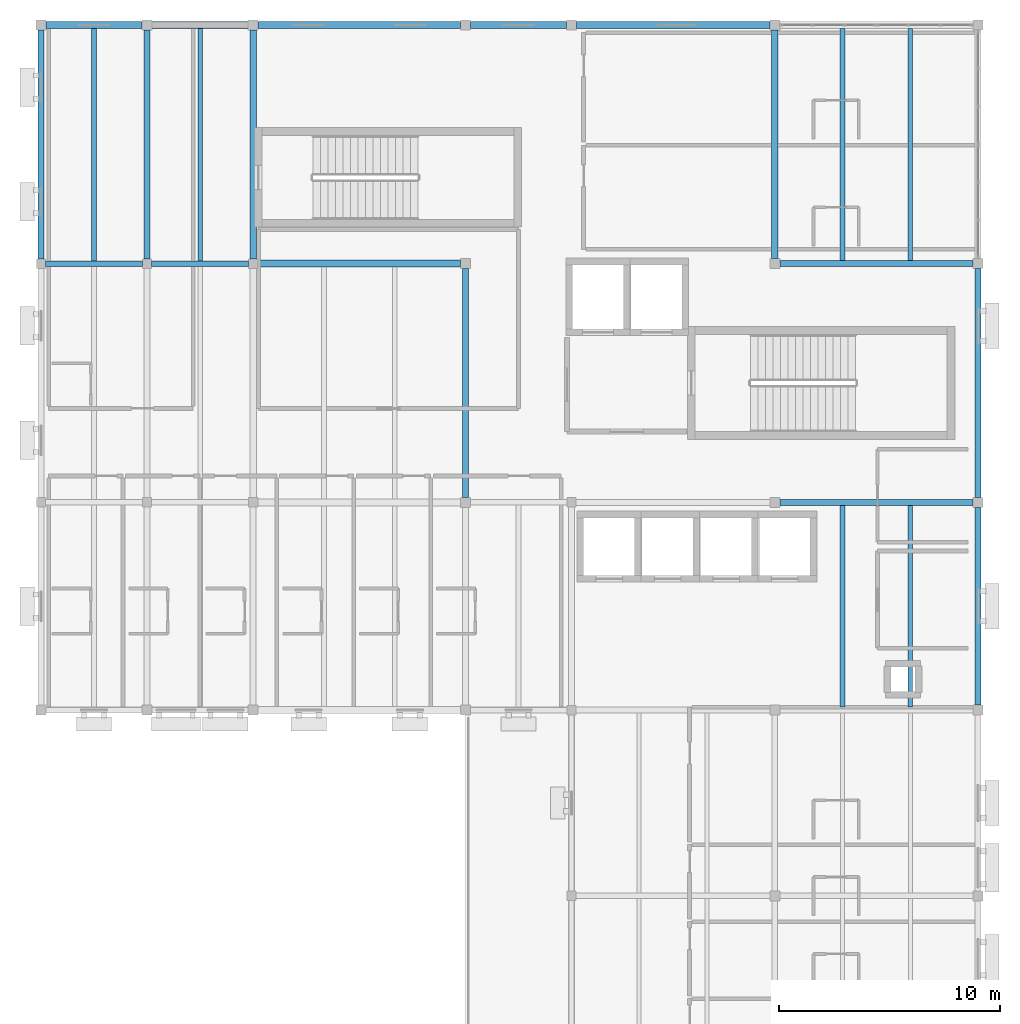
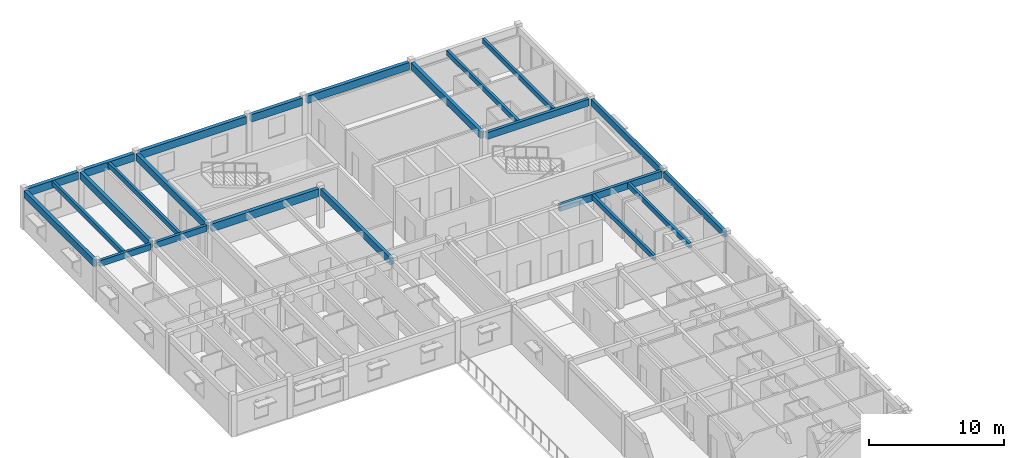
# One storey, part 2 of 18: 23 beams.
"""IFC4 building model written with IfcOpenShell, lengths in metres."""

from ifc_helpers import new_model, si_unit, direction, frame, origin, origin_2d, place, context, subcontext, project, spatial, rectangle, extrude, material, material_profile, profile_set, type_object, element, save


model = new_model("IFC4")

# Units and contexts
model_context = context("Model", 3, precision=1e-05, world=origin(), true_north=direction((0.0, 1.0)))
body_context = subcontext(model_context, "Body", "Model", "MODEL_VIEW")
ifc_project = project(units=[si_unit("LENGTHUNIT", "METRE"), si_unit("AREAUNIT", "SQUARE_METRE"), si_unit("VOLUMEUNIT", "CUBIC_METRE"), si_unit("PLANEANGLEUNIT", "RADIAN"), si_unit("MASSUNIT", "GRAM", prefix="KILO")], contexts=[model_context])

# Site, building, storey
site_placement = place(None, origin())
site = spatial("IfcSite", under=ifc_project, at=site_placement, CompositionType="ELEMENT")
building_placement = place(site_placement, origin())
building = spatial("IfcBuilding", under=site, at=building_placement, Name="Veldera Park Congress Hotel", CompositionType="ELEMENT")
storey_placement = place(building_placement, frame((0.0, 0.0, 31.39990234375)))
storey = spatial("IfcBuildingStorey", under=building, at=storey_placement, Name="L07", CompositionType="ELEMENT", Elevation=31.39990234375)

# Beams
ifc_material = material(Name="Glulam GL28h (NDS 24F-V4)", Category="wood")
ifc_material_profile_1 = material_profile(ifc_material, rectangle(XDim=0.239990234375, YDim=0.5400390625, at=origin_2d()), Name="GL28h 240x540")
ifc_profile_set_1 = profile_set([ifc_material_profile_1], Name="Glulam GL28h (NDS 24F-V4)")
beam_type_1 = type_object("IfcBeamType", Name="BM-GL540", PredefinedType="BEAM", material=ifc_profile_set_1)
for number, where, z_axis, x_axis, name in (
    (1, (41.81005859375, 47.199951171875, 3.28515625), (1.0, 0.0, 0.0), (0.0, 1.0, 0.0), "L07 Girder BM-GL540 1659"),
    (2, (46.610107421875, 47.199951171875, 3.28515625), (1.0, 0.0, 0.0), (0.0, 1.0, 0.0), "L07 Girder BM-GL540 1660"),
):
    element("IfcBeam", number, at=place(storey_placement, frame(where, z_axis=z_axis, x_axis=x_axis)), inside=storey, type_object=beam_type_1, Name=name, PredefinedType="BEAM", context=body_context, shape_type="SweptSolid", body=[
        extrude(rectangle(XDim=0.239990234375, YDim=0.5400390625, at=origin_2d()), origin(), (0.0, 0.0, 1.0), 4.3798828125),
    ])
ifc_material_profile_2 = material_profile(ifc_material, rectangle(XDim=0.264892578125, YDim=0.580078125, at=origin_2d()), Name="GL28h 265x580")
ifc_profile_set_2 = profile_set([ifc_material_profile_2], Name="Glulam GL28h (NDS 24F-V4)")
beam_type_2 = type_object("IfcBeamType", Name="BM-GL540E", PredefinedType="BEAM", material=ifc_profile_set_2)
beam_1_placement = place(storey_placement, frame((84.0, 27.22509765625, 3.26513671875), z_axis=(0.0, 1.0, 0.0), x_axis=(-1.0, 0.0, 0.0)))
element("IfcBeam", 3, at=beam_1_placement, inside=storey, type_object=beam_type_2, Name="L07 Girder BM-GL540E 1699", PredefinedType="BEAM", context=body_context, shape_type="SweptSolid", body=[
    extrude(rectangle(XDim=0.264892578125, YDim=0.580078125, at=origin_2d()), origin(), (0.0, 0.0, 1.0), 8.949951171875),
])
beam_2_placement = place(storey_placement, frame((84.0, 36.625, 3.26513671875), z_axis=(0.0, 1.0, 0.0), x_axis=(-1.0, 0.0, 0.0)))
element("IfcBeam", 4, at=beam_2_placement, inside=storey, type_object=beam_type_2, Name="L07 Girder BM-GL540E 1700", PredefinedType="BEAM", context=body_context, shape_type="SweptSolid", body=[
    extrude(rectangle(XDim=0.264892578125, YDim=0.580078125, at=origin_2d()), origin(), (0.0, 0.0, 1.0), 10.35009765625),
])
ifc_material_profile_3 = material_profile(ifc_material, rectangle(XDim=0.264892578125, YDim=0.6201171875, at=origin_2d()), Name="GL28h 265x620")
ifc_profile_set_3 = profile_set([ifc_material_profile_3], Name="Glulam GL28h (NDS 24F-V4)")
beam_type_3 = type_object("IfcBeamType", Name="BM-GL620", PredefinedType="BEAM", material=ifc_profile_set_3)
for number, where, z_axis, x_axis, name in (
    (5, (75.02490234375, 36.39990234375, 3.2451171875), (1.0, 0.0, 0.0), (0.0, 1.0, 0.0), "L07 Girder BM-GL620 1658"),
    (6, (75.02490234375, 47.199951171875, 3.2451171875), (1.0, 0.0, 0.0), (0.0, 1.0, 0.0), "L07 Girder BM-GL620 1662"),
):
    element("IfcBeam", number, at=place(storey_placement, frame(where, z_axis=z_axis, x_axis=x_axis)), inside=storey, type_object=beam_type_3, Name=name, PredefinedType="BEAM", context=body_context, shape_type="SweptSolid", body=[
        extrude(rectangle(XDim=0.264892578125, YDim=0.6201171875, at=origin_2d()), origin(), (0.0, 0.0, 1.0), 8.75),
    ])
ifc_material_profile_4 = material_profile(ifc_material, rectangle(XDim=0.280029296875, YDim=0.639892578125, at=origin_2d()), Name="GL28h 280x640")
ifc_profile_set_4 = profile_set([ifc_material_profile_4], Name="Glulam GL28h (NDS 24F-V4)")
beam_type_4 = type_object("IfcBeamType", Name="BM-GL640", PredefinedType="BEAM", material=ifc_profile_set_4)
for number, where, z_axis, x_axis, name in (
    (7, (41.60009765625, 47.409912109375, 3.235107421875), (0.0, 1.0, 0.0), (-1.0, 0.0, 0.0), "L07 Girder BM-GL640 1671"),
    (8, (46.39990234375, 47.409912109375, 3.235107421875), (0.0, 1.0, 0.0), (-1.0, 0.0, 0.0), "L07 Girder BM-GL640 1674"),
    (9, (51.199951171875, 47.409912109375, 3.235107421875), (0.0, 1.0, 0.0), (-1.0, 0.0, 0.0), "L07 Girder BM-GL640 1677"),
):
    element("IfcBeam", number, at=place(storey_placement, frame(where, z_axis=z_axis, x_axis=x_axis)), inside=storey, type_object=beam_type_4, Name=name, PredefinedType="BEAM", context=body_context, shape_type="SweptSolid", body=[
        extrude(rectangle(XDim=0.280029296875, YDim=0.639892578125, at=origin_2d()), origin(), (0.0, 0.0, 1.0), 10.364990234375),
    ])
beam_3_placement = place(storey_placement, frame((60.800048828125, 36.625, 3.235107421875), z_axis=(0.0, 1.0, 0.0), x_axis=(-1.0, 0.0, 0.0)))
element("IfcBeam", 10, at=beam_3_placement, inside=storey, type_object=beam_type_4, Name="L07 Girder BM-GL640 1679", PredefinedType="BEAM", context=body_context, shape_type="SweptSolid", body=[
    extrude(rectangle(XDim=0.280029296875, YDim=0.639892578125, at=origin_2d()), origin(), (0.0, 0.0, 1.0), 10.35009765625),
])
beam_4_placement = place(storey_placement, frame((74.800048828125, 47.425048828125, 3.235107421875), z_axis=(0.0, 1.0, 0.0), x_axis=(-1.0, 0.0, 0.0)))
element("IfcBeam", 11, at=beam_4_placement, inside=storey, type_object=beam_type_4, Name="L07 Girder BM-GL640 1691", PredefinedType="BEAM", context=body_context, shape_type="SweptSolid", body=[
    extrude(rectangle(XDim=0.280029296875, YDim=0.639892578125, at=origin_2d()), origin(), (0.0, 0.0, 1.0), 10.349853515625),
])
ifc_material_profile_5 = material_profile(ifc_material, rectangle(XDim=0.31494140625, YDim=0.679931640625, at=origin_2d()), Name="GL28h 315x680")
ifc_profile_set_5 = profile_set([ifc_material_profile_5], Name="Glulam GL28h (NDS 24F-V4)")
beam_type_5 = type_object("IfcBeamType", Name="BM-GL640E", PredefinedType="BEAM", material=ifc_profile_set_5)
for number, where, z_axis, x_axis, name in (
    (12, (41.824951171875, 58.0, 3.215087890625), (1.0, 0.0, 0.0), (0.0, 1.0, 0.0), "L07 Girder BM-GL640E 1663"),
    (13, (46.625, 58.0, 3.215087890625), (1.0, 0.0, 0.0), (0.0, 1.0, 0.0), "L07 Girder BM-GL640E 1664"),
):
    element("IfcBeam", number, at=place(storey_placement, frame(where, z_axis=z_axis, x_axis=x_axis)), inside=storey, type_object=beam_type_5, Name=name, PredefinedType="BEAM", context=body_context, shape_type="SweptSolid", body=[
        extrude(rectangle(XDim=0.31494140625, YDim=0.679931640625, at=origin_2d()), origin(), (0.0, 0.0, 1.0), 4.35009765625),
    ])
beam_5_placement = place(storey_placement, frame((51.425048828125, 58.0, 3.215087890625), z_axis=(1.0, 0.0, 0.0), x_axis=(0.0, 1.0, 0.0)))
element("IfcBeam", 14, at=beam_5_placement, inside=storey, type_object=beam_type_5, Name="L07 Girder BM-GL640E 1665", PredefinedType="BEAM", context=body_context, shape_type="SweptSolid", body=[
    extrude(rectangle(XDim=0.31494140625, YDim=0.679931640625, at=origin_2d()), origin(), (0.0, 0.0, 1.0), 9.14990234375),
])
beam_6_placement = place(storey_placement, frame((61.02490234375, 58.0, 3.215087890625), z_axis=(1.0, 0.0, 0.0), x_axis=(0.0, 1.0, 0.0)))
element("IfcBeam", 15, at=beam_6_placement, inside=storey, type_object=beam_type_5, Name="L07 Girder BM-GL640E 1666", PredefinedType="BEAM", context=body_context, shape_type="SweptSolid", body=[
    extrude(rectangle(XDim=0.31494140625, YDim=0.679931640625, at=origin_2d()), origin(), (0.0, 0.0, 1.0), 4.35009765625),
])
beam_7_placement = place(storey_placement, frame((65.824951171875, 58.0, 3.215087890625), z_axis=(1.0, 0.0, 0.0), x_axis=(0.0, 1.0, 0.0)))
element("IfcBeam", 16, at=beam_7_placement, inside=storey, type_object=beam_type_5, Name="L07 Girder BM-GL640E 1667", PredefinedType="BEAM", context=body_context, shape_type="SweptSolid", body=[
    extrude(rectangle(XDim=0.31494140625, YDim=0.679931640625, at=origin_2d()), origin(), (0.0, 0.0, 1.0), 8.75),
])
ifc_material_profile_6 = material_profile(ifc_material, rectangle(XDim=0.31494140625, YDim=0.719970703125, at=origin_2d()), Name="GL28h 315x720")
ifc_profile_set_6 = profile_set([ifc_material_profile_6], Name="Glulam GL28h (NDS 24F-V4)")
beam_type_6 = type_object("IfcBeamType", Name="BM-GL720", PredefinedType="BEAM", material=ifc_profile_set_6)
beam_8_placement = place(storey_placement, frame((51.409912109375, 47.199951171875, 3.195068359375), z_axis=(1.0, 0.0, 0.0), x_axis=(0.0, 1.0, 0.0)))
element("IfcBeam", 17, at=beam_8_placement, inside=storey, type_object=beam_type_6, Name="L07 Girder BM-GL720 1661", PredefinedType="BEAM", context=body_context, shape_type="SweptSolid", body=[
    extrude(rectangle(XDim=0.31494140625, YDim=0.719970703125, at=origin_2d()), origin(), (0.0, 0.0, 1.0), 9.1650390625),
])
ifc_material_profile_7 = material_profile(ifc_material, rectangle(XDim=0.215087890625, YDim=0.449951171875, at=origin_2d()), Name="GL28h 215x450")
ifc_profile_set_7 = profile_set([ifc_material_profile_7], Name="Glulam GL28h (NDS 24F-V4)")
beam_type_7 = type_object("IfcBeamType", Name="JST-GL450", PredefinedType="JOIST", material=ifc_profile_set_7)
for number, where, z_axis, x_axis, name in (
    (18, (77.86669921875, 27.132568359375, 3.330078125), (0.0, 1.0, 0.0), (-1.0, 0.0, 0.0), "L07 Floor Joist JST-GL450 1723"),
    (19, (80.933349609375, 27.132568359375, 3.330078125), (0.0, 1.0, 0.0), (-1.0, 0.0, 0.0), "L07 Floor Joist JST-GL450 1724"),
):
    element("IfcBeam", number, at=place(storey_placement, frame(where, z_axis=z_axis, x_axis=x_axis)), inside=storey, type_object=beam_type_7, Name=name, PredefinedType="JOIST", context=body_context, shape_type="SweptSolid", body=[
        extrude(rectangle(XDim=0.215087890625, YDim=0.449951171875, at=origin_2d()), origin(), (0.0, 0.0, 1.0), 9.135009765625),
    ])
for number, where, z_axis, x_axis, name in (
    (20, (44.0, 47.320068359375, 3.330078125), (0.0, 1.0, 0.0), (-1.0, 0.0, 0.0), "L07 Floor Joist JST-GL450 1729"),
    (21, (48.800048828125, 47.320068359375, 3.330078125), (0.0, 1.0, 0.0), (-1.0, 0.0, 0.0), "L07 Floor Joist JST-GL450 1730"),
):
    element("IfcBeam", number, at=place(storey_placement, frame(where, z_axis=z_axis, x_axis=x_axis)), inside=storey, type_object=beam_type_7, Name=name, PredefinedType="JOIST", context=body_context, shape_type="SweptSolid", body=[
        extrude(rectangle(XDim=0.215087890625, YDim=0.449951171875, at=origin_2d()), origin(), (0.0, 0.0, 1.0), 10.5224609375),
    ])
for number, where, z_axis, x_axis, name in (
    (22, (77.86669921875, 47.33251953125, 3.330078125), (0.0, 1.0, 0.0), (-1.0, 0.0, 0.0), "L07 Floor Joist JST-GL450 1731"),
    (23, (80.933349609375, 47.33251953125, 3.330078125), (0.0, 1.0, 0.0), (-1.0, 0.0, 0.0), "L07 Floor Joist JST-GL450 1732"),
):
    element("IfcBeam", number, at=place(storey_placement, frame(where, z_axis=z_axis, x_axis=x_axis)), inside=storey, type_object=beam_type_7, Name=name, PredefinedType="JOIST", context=body_context, shape_type="SweptSolid", body=[
        extrude(rectangle(XDim=0.215087890625, YDim=0.449951171875, at=origin_2d()), origin(), (0.0, 0.0, 1.0), 10.510009765625),
    ])

save(model, "model.ifc")
